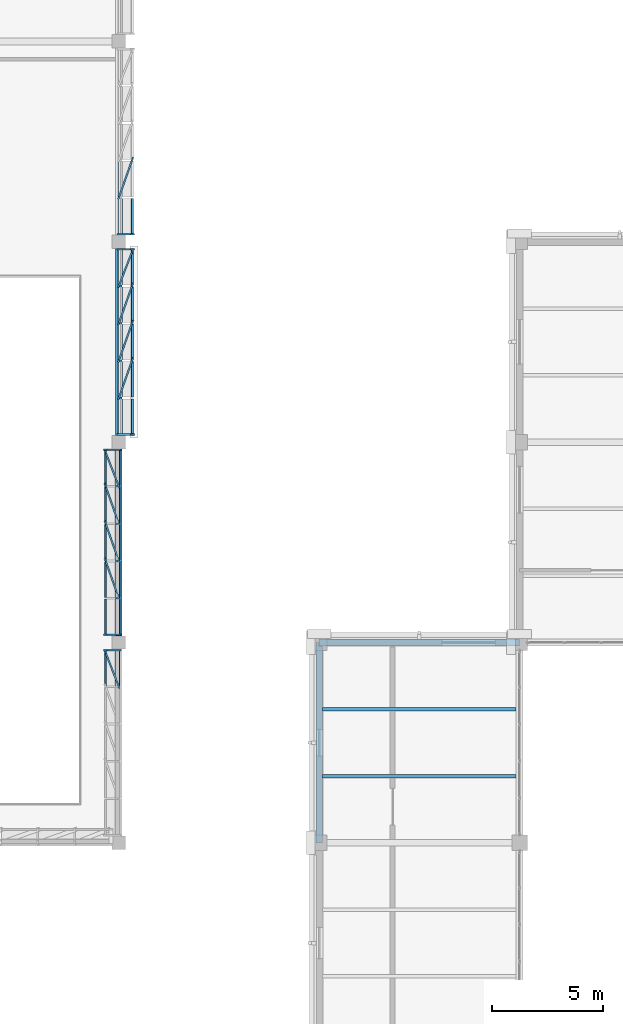
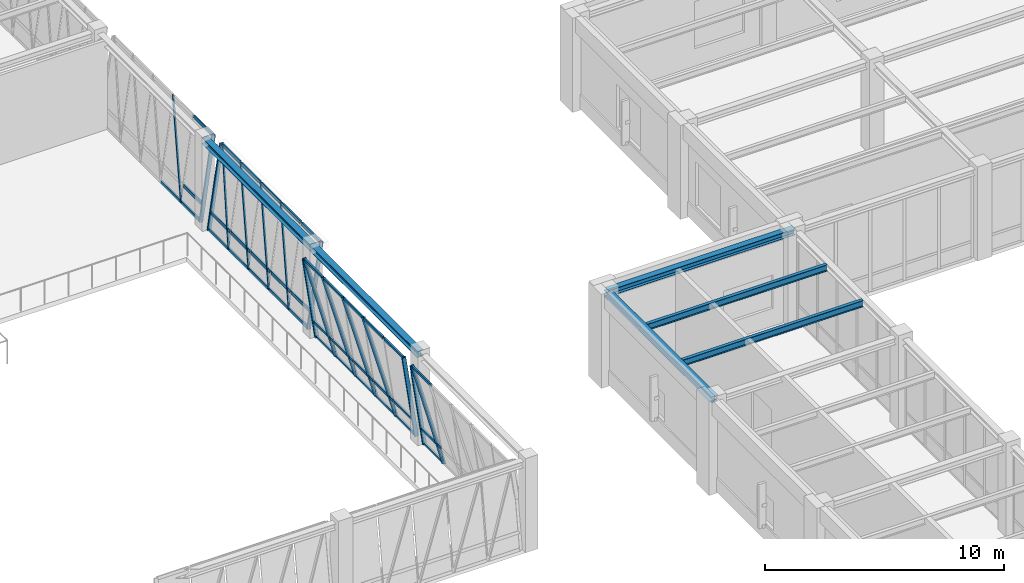
# One storey, part 41 of 98: 53 members, 6 beams, 4 elements without a shape of their own.
"""IFC4 building model written with IfcOpenShell, lengths in metres."""

import ifcopenshell
import ifcopenshell.guid

model = None  # the IFC model being written
_history = None  # IfcOwnerHistory: only IFC2X3 demands one
_inside = {}  # id of a spatial element -> (the spatial element, [elements in it])
_under = {}  # id of a project, library or spatial element -> (it, [spatial elements below it])
_declared = {}  # id of a project -> (the project, [libraries it declares])
_typed = {}  # id of a type object -> (the type object, [elements of that type])
_made_of = {}  # id of a material, layer set ... -> (it, [elements and type objects made of it])


def new_model(schema):
    """Start an empty IFC model of exactly this schema.

    Asked for "IFC4X3", IfcOpenShell would pick the latest addendum, in which some entities
    have other attributes; the version numbers below select the first issue.
    IFC2X3 requires an IfcOwnerHistory on every rooted entity: one is made here for all.
    """
    global model, _history
    if schema == "IFC4X3":
        model = ifcopenshell.file(schema_version=(4, 3, 0, 0))
    else:
        model = ifcopenshell.file(schema=schema)
    _inside.clear()
    _under.clear()
    _declared.clear()
    _typed.clear()
    _made_of.clear()
    _history = None
    if model.schema == "IFC2X3":
        org = make("IfcOrganization", Name="unknown")
        user = make(
            "IfcPersonAndOrganization",
            ThePerson=make("IfcPerson", FamilyName="unknown"),
            TheOrganization=org,
        )
        app = make(
            "IfcApplication",
            ApplicationDeveloper=org,
            Version="unknown",
            ApplicationFullName="unknown",
            ApplicationIdentifier="unknown",
        )
        _history = make(
            "IfcOwnerHistory",
            OwningUser=user,
            OwningApplication=app,
            ChangeAction="ADDED",
            CreationDate=0,
        )
    return model


def make(cls, **values):
    """One entity of the class cls with the attributes given. An attribute that is None is left unset."""
    return model.create_entity(
        cls, **{name: value for name, value in values.items() if value is not None}
    )


def rooted(cls, **values):
    """An entity with a GlobalId (a new one), such as an element, a storey or a relation."""
    return make(cls, GlobalId=ifcopenshell.guid.new(), OwnerHistory=_history, **values)


def si_unit(unit_type, name, prefix=None):
    """IfcSIUnit, for example si_unit("LENGTHUNIT", "METRE", prefix="MILLI")."""
    return make("IfcSIUnit", UnitType=unit_type, Prefix=prefix, Name=name)


def assignment(units):
    """IfcUnitAssignment: the units of a project."""
    return None if units is None else make("IfcUnitAssignment", Units=units)


def point(xyz):
    """IfcCartesianPoint."""
    return None if xyz is None else make("IfcCartesianPoint", Coordinates=xyz)


def direction(xyz):
    """IfcDirection."""
    return None if xyz is None else make("IfcDirection", DirectionRatios=xyz)


def frame(location, z_axis=None, x_axis=None):
    """IfcAxis2Placement3D, a coordinate frame: its origin and axes. An axis left out is left unset."""
    return make(
        "IfcAxis2Placement3D",
        Location=point(location),
        Axis=direction(z_axis),
        RefDirection=direction(x_axis),
    )


def frame_2d(location, x_axis=None):
    """IfcAxis2Placement2D, a coordinate frame in the plane: its origin and x axis."""
    return make(
        "IfcAxis2Placement2D", Location=point(location), RefDirection=direction(x_axis)
    )


def origin():
    """The frame at (0, 0, 0) with its axes left unset."""
    return frame((0.0, 0.0, 0.0))


def origin_2d():
    """The frame at (0, 0) in the plane with its x axis left unset."""
    return frame_2d((0.0, 0.0))


def place(relative_to, where):
    """IfcLocalPlacement: puts the frame where relative to a parent placement (None: the world)."""
    return make(
        "IfcLocalPlacement", PlacementRelTo=relative_to, RelativePlacement=where
    )


def context(
    kind, dimensions, precision=None, world=None, true_north=None, identifier=None
):
    """IfcGeometricRepresentationContext, for example the 3D "Model" context."""
    return make(
        "IfcGeometricRepresentationContext",
        ContextIdentifier=identifier,
        ContextType=kind,
        CoordinateSpaceDimension=dimensions,
        Precision=precision,
        WorldCoordinateSystem=world,
        TrueNorth=true_north,
    )


def subcontext(parent, identifier, kind, view, scale=None):
    """IfcGeometricRepresentationSubContext, for example "Body" below "Model"."""
    return make(
        "IfcGeometricRepresentationSubContext",
        ContextIdentifier=identifier,
        ContextType=kind,
        ParentContext=parent,
        TargetScale=scale,
        TargetView=view,
    )


def project(units=None, contexts=None):
    """IfcProject with its units and contexts."""
    return rooted(
        "IfcProject",
        Name="project",
        RepresentationContexts=contexts,
        UnitsInContext=assignment(units),
    )


def spatial(cls, under=None, at=None, **own):
    """A site, building, storey or space (cls), placed at a placement, below another one or the project."""
    s = rooted(cls, ObjectPlacement=at, **own)
    if under is not None:
        _under.setdefault(under.id(), (under, []))[1].append(s)
    return s


def profile(cls, at=None, kind="AREA", **sizes):
    """A parametric profile (cls). Its sizes go by their IFC names, for example OverallWidth=200.0."""
    return make(cls, ProfileType=kind, Position=at, **sizes)


def hollow_rectangle(**sizes):
    """IfcRectangleHollowProfileDef."""
    return profile("IfcRectangleHollowProfileDef", **sizes)


def i_section(**sizes):
    """IfcIShapeProfileDef."""
    return profile("IfcIShapeProfileDef", **sizes)


def extrude(swept, where, along, depth):
    """IfcExtrudedAreaSolid: the profile swept, set in the frame where, extruded along a direction by depth."""
    return make(
        "IfcExtrudedAreaSolid",
        SweptArea=swept,
        Position=where,
        ExtrudedDirection=direction(along),
        Depth=depth,
    )


def shape(context_of_items, identifier, shape_type, items):
    """IfcShapeRepresentation: the items that make up one representation, for example the "Body"."""
    return make(
        "IfcShapeRepresentation",
        ContextOfItems=context_of_items,
        RepresentationIdentifier=identifier,
        RepresentationType=shape_type,
        Items=items,
    )


def material(Name=None, Category=None):
    """IfcMaterial."""
    return make("IfcMaterial", Name=Name, Category=Category)


def material_profile(
    of_material, cross_section, Name=None, Category=None, Priority=None
):
    """IfcMaterialProfile: a cross section and its material."""
    return make(
        "IfcMaterialProfile",
        Name=Name,
        Material=of_material,
        Profile=cross_section,
        Priority=Priority,
        Category=Category,
    )


def profile_set(profiles, Name=None, composite=None):
    """IfcMaterialProfileSet."""
    return make(
        "IfcMaterialProfileSet",
        Name=Name,
        MaterialProfiles=profiles,
        CompositeProfile=composite,
    )


def made_of(thing, what):
    """Note that an element or type object is made of a material, layer set ...; save() writes the relation."""
    if what is not None:
        _made_of.setdefault(what.id(), (what, []))[1].append(thing)
    return thing


def type_object(cls, material=None, **own):
    """A type object (cls), such as IfcWallType, which elements share."""
    return made_of(rooted(cls, **own), material)


def element(
    cls,
    number,
    at=None,
    inside=None,
    cuts=None,
    type_object=None,
    material=None,
    context=None,
    identifier="Body",
    shape_type=None,
    held_by="IfcProductDefinitionShape",
    body=None,
    shapes=None,
    **own,
):
    """One element of the class cls, such as IfcWall. Its Tag is "e" and its number.

    at: its placement. inside: the storey or other place that contains it. cuts: it is an
    opening in that element (IfcRelVoidsElement). A single representation is given by context,
    identifier, shape_type and body (its items); several are given by shapes. held_by: the class
    of the entity that holds the representations. save() writes the other relations.
    """
    e = rooted(cls, Tag="e%d" % number, ObjectPlacement=at, **own)
    if body is not None:
        shapes = [shape(context, identifier, shape_type, body)]
    if shapes is not None:
        e.Representation = make(held_by, Representations=shapes)
    if inside is not None:
        _inside.setdefault(inside.id(), (inside, []))[1].append(e)
    if cuts is not None:
        rooted(
            "IfcRelVoidsElement", RelatingBuildingElement=cuts, RelatedOpeningElement=e
        )
    if type_object is not None:
        _typed.setdefault(type_object.id(), (type_object, []))[1].append(e)
    return made_of(e, material)


def aggregate(whole, parts):
    """IfcRelAggregates: a whole, such as a stair, and the parts it consists of."""
    return rooted("IfcRelAggregates", RelatingObject=whole, RelatedObjects=parts)


def save(model, path):
    """Write the relations noted so far, then the file.

    IfcRelAggregates (storeys below a building ...), IfcRelContainedInSpatialStructure (elements
    in a storey), IfcRelDefinesByType, IfcRelAssociatesMaterial and IfcRelDeclares: one each for
    every whole, place, type object, material and project.
    """
    for whole, parts in _under.values():
        aggregate(whole, parts)
    for where, things in _inside.values():
        rooted(
            "IfcRelContainedInSpatialStructure",
            RelatedElements=things,
            RelatingStructure=where,
        )
    for kind, things in _typed.values():
        rooted("IfcRelDefinesByType", RelatedObjects=things, RelatingType=kind)
    for what, things in _made_of.values():
        rooted("IfcRelAssociatesMaterial", RelatedObjects=things, RelatingMaterial=what)
    for by, libraries in _declared.values():
        rooted("IfcRelDeclares", RelatingContext=by, RelatedDefinitions=libraries)
    model.write(path)


model = new_model("IFC4")

# Units and contexts
model_context = context("Model", 3, precision=1e-05, world=origin(), true_north=direction((0.0, 1.0)))
body_context = subcontext(model_context, "Body", "Model", "MODEL_VIEW")
ifc_project = project(units=[si_unit("LENGTHUNIT", "METRE"), si_unit("AREAUNIT", "SQUARE_METRE"), si_unit("VOLUMEUNIT", "CUBIC_METRE"), si_unit("PLANEANGLEUNIT", "RADIAN"), si_unit("MASSUNIT", "GRAM", prefix="KILO")], contexts=[model_context])

# Site, building, storey
site_placement = place(None, origin())
site = spatial("IfcSite", under=ifc_project, at=site_placement, CompositionType="ELEMENT")
building_placement = place(site_placement, origin())
building = spatial("IfcBuilding", under=site, at=building_placement, Name="Lykobir Media Centre", CompositionType="ELEMENT")
storey_placement = place(building_placement, frame((0.0, 0.0, 10.199951171875)))
storey = spatial("IfcBuildingStorey", under=building, at=storey_placement, Name="L02", CompositionType="ELEMENT", Elevation=10.199951171875)

# Curtain wall, members
ifc_material_1 = material(Name="Anodized Aluminium AW-6060", Category="aluminium")
curtain_wall_type = type_object("IfcCurtainWallType", Name="CW-V6-CR2", PredefinedType="NOTDEFINED", material=ifc_material_1)
curtain_wall_1_placement = place(storey_placement, origin())
curtain_wall_1 = element("IfcCurtainWall", 1, at=curtain_wall_1_placement, inside=storey, type_object=curtain_wall_type, Name="Curtain wall CW2-L02-0087", PredefinedType="NOTDEFINED")
ifc_material_profile_1 = material_profile(ifc_material_1, hollow_rectangle(XDim=0.074951171875, YDim=0.179931640625, WallThickness=0.00390625, at=origin_2d()), Name="ALU MULLION 75x180")
ifc_profile_set_1 = profile_set([ifc_material_profile_1], Name="Anodized Aluminium AW-6060")
member_type_1 = type_object("IfcMemberType", Name="CWM-180", PredefinedType="MULLION", material=ifc_profile_set_1)
member_1_placement = place(storey_placement, frame((81.0, 71.657470703125, 0.0), z_axis=(-0.142643417261, 0.0, 0.989774143687), x_axis=(0.0, -1.0, 0.0)))
member_1 = element("IfcMember", 2, at=member_1_placement, type_object=member_type_1, Name="CW2-L02-0087 mullion 1", PredefinedType="MULLION", context=body_context, shape_type="SweptSolid", body=[
    extrude(hollow_rectangle(XDim=0.074951171875, YDim=0.179931640625, WallThickness=0.00390625, at=origin_2d()), origin(), (0.0, 0.0, 1.0), 4.27880859375),
])
member_2_placement = place(storey_placement, frame((81.0, 70.01708984375, 0.0), z_axis=(-0.133959771606, 0.343580022215, 0.929520063219), x_axis=(-0.931687998403, -0.36325951279, 0.0)))
member_2 = element("IfcMember", 3, at=member_2_placement, type_object=member_type_1, Name="CW2-L02-0087 mullion 2", PredefinedType="MULLION", context=body_context, shape_type="SweptSolid", body=[
    extrude(hollow_rectangle(XDim=0.074951171875, YDim=0.179931640625, WallThickness=0.00390625, at=origin_2d()), origin(), (0.0, 0.0, 1.0), 4.55615234375),
])

curtain_wall_2_placement = place(storey_placement, origin())
curtain_wall_2 = element("IfcCurtainWall", 4, at=curtain_wall_2_placement, inside=storey, type_object=curtain_wall_type, Name="Curtain wall CW2-L02-0088", PredefinedType="NOTDEFINED")
member_3_placement = place(storey_placement, frame((81.0, 80.657470703125, 0.0), z_axis=(-0.142643417261, 0.0, 0.989774143687), x_axis=(0.0, -1.0, 0.0)))
member_3 = element("IfcMember", 5, at=member_3_placement, type_object=member_type_1, Name="CW2-L02-0088 mullion 1", PredefinedType="MULLION", context=body_context, shape_type="SweptSolid", body=[
    extrude(hollow_rectangle(XDim=0.074951171875, YDim=0.179931640625, WallThickness=0.00390625, at=origin_2d()), origin(), (0.0, 0.0, 1.0), 4.27880859375),
])
member_4_placement = place(storey_placement, frame((81.0, 79.01708984375, 0.0), z_axis=(-0.133959771606, 0.343580022215, 0.929520063219), x_axis=(-0.931687998403, -0.36325951279, 0.0)))
member_4 = element("IfcMember", 6, at=member_4_placement, type_object=member_type_1, Name="CW2-L02-0088 mullion 2", PredefinedType="MULLION", context=body_context, shape_type="SweptSolid", body=[
    extrude(hollow_rectangle(XDim=0.074951171875, YDim=0.179931640625, WallThickness=0.00390625, at=origin_2d()), origin(), (0.0, 0.0, 1.0), 4.55615234375),
])
member_5_placement = place(storey_placement, frame((81.0, 77.339111328125, 0.0), z_axis=(-0.132259432652, 0.374558713271, 0.917721751288), x_axis=(-0.942941147741, -0.332959444824, 0.0)))
member_5 = element("IfcMember", 7, at=member_5_placement, type_object=member_type_1, Name="CW2-L02-0088 mullion 3", PredefinedType="MULLION", context=body_context, shape_type="SweptSolid", body=[
    extrude(hollow_rectangle(XDim=0.074951171875, YDim=0.179931640625, WallThickness=0.00390625, at=origin_2d()), origin(), (0.0, 0.0, 1.0), 4.61474609375),
])
member_6_placement = place(storey_placement, frame((81.0, 75.660888671875, 0.0), z_axis=(-0.132256811749, 0.374604193598, 0.917703565365), x_axis=(-0.942955909979, -0.332917635214, 0.0)))
member_6 = element("IfcMember", 8, at=member_6_placement, type_object=member_type_1, Name="CW2-L02-0088 mullion 4", PredefinedType="MULLION", context=body_context, shape_type="SweptSolid", body=[
    extrude(hollow_rectangle(XDim=0.074951171875, YDim=0.179931640625, WallThickness=0.00390625, at=origin_2d()), origin(), (0.0, 0.0, 1.0), 4.614990234375),
])
member_7_placement = place(storey_placement, frame((81.0, 73.98291015625, 0.0), z_axis=(-0.132256811749, 0.374604193598, 0.917703565365), x_axis=(-0.942955909979, -0.332917635214, 0.0)))
member_7 = element("IfcMember", 9, at=member_7_placement, type_object=member_type_1, Name="CW2-L02-0088 mullion 5", PredefinedType="MULLION", context=body_context, shape_type="SweptSolid", body=[
    extrude(hollow_rectangle(XDim=0.074951171875, YDim=0.179931640625, WallThickness=0.00390625, at=origin_2d()), origin(), (0.0, 0.0, 1.0), 4.614990234375),
])
member_8_placement = place(storey_placement, frame((81.0, 72.342529296875, 0.0), z_axis=(-0.142643417261, 0.0, 0.989774143687), x_axis=(0.0, -1.0, 0.0)))
member_8 = element("IfcMember", 10, at=member_8_placement, type_object=member_type_1, Name="CW2-L02-0088 mullion 6", PredefinedType="MULLION", context=body_context, shape_type="SweptSolid", body=[
    extrude(hollow_rectangle(XDim=0.074951171875, YDim=0.179931640625, WallThickness=0.00390625, at=origin_2d()), origin(), (0.0, 0.0, 1.0), 4.27880859375),
])

curtain_wall_3_placement = place(storey_placement, origin())
curtain_wall_3 = element("IfcCurtainWall", 11, at=curtain_wall_3_placement, inside=storey, type_object=curtain_wall_type, Name="Curtain wall CW2-L02-0089", PredefinedType="NOTDEFINED")
member_9_placement = place(storey_placement, frame((81.0, 81.342529296875, 0.0), z_axis=(0.142643417261, 0.0, 0.989774143687), x_axis=(0.0, -1.0, 0.0)))
member_9 = element("IfcMember", 12, at=member_9_placement, type_object=member_type_1, Name="CW2-L02-0089 mullion 1", PredefinedType="MULLION", context=body_context, shape_type="SweptSolid", body=[
    extrude(hollow_rectangle(XDim=0.074951171875, YDim=0.179931640625, WallThickness=0.00390625, at=origin_2d()), origin(), (0.0, 0.0, 1.0), 4.27880859375),
])
member_10_placement = place(storey_placement, frame((81.0, 82.98291015625, 0.0), z_axis=(0.132256811749, 0.374604193598, 0.917703565365), x_axis=(0.942955909979, -0.332917635214, 0.0)))
member_10 = element("IfcMember", 13, at=member_10_placement, type_object=member_type_1, Name="CW2-L02-0089 mullion 2", PredefinedType="MULLION", context=body_context, shape_type="SweptSolid", body=[
    extrude(hollow_rectangle(XDim=0.074951171875, YDim=0.179931640625, WallThickness=0.00390625, at=origin_2d()), origin(), (0.0, 0.0, 1.0), 4.614990234375),
])
member_11_placement = place(storey_placement, frame((81.0, 84.660888671875, 0.0), z_axis=(0.132256811749, 0.374604193598, 0.917703565365), x_axis=(0.942955909979, -0.332917635214, 0.0)))
member_11 = element("IfcMember", 14, at=member_11_placement, type_object=member_type_1, Name="CW2-L02-0089 mullion 3", PredefinedType="MULLION", context=body_context, shape_type="SweptSolid", body=[
    extrude(hollow_rectangle(XDim=0.074951171875, YDim=0.179931640625, WallThickness=0.00390625, at=origin_2d()), origin(), (0.0, 0.0, 1.0), 4.614990234375),
])
member_12_placement = place(storey_placement, frame((81.0, 86.339111328125, 0.0), z_axis=(0.132259432652, 0.374558713271, 0.917721751288), x_axis=(0.942941147741, -0.332959444824, 0.0)))
member_12 = element("IfcMember", 15, at=member_12_placement, type_object=member_type_1, Name="CW2-L02-0089 mullion 4", PredefinedType="MULLION", context=body_context, shape_type="SweptSolid", body=[
    extrude(hollow_rectangle(XDim=0.074951171875, YDim=0.179931640625, WallThickness=0.00390625, at=origin_2d()), origin(), (0.0, 0.0, 1.0), 4.61474609375),
])
member_13_placement = place(storey_placement, frame((81.0, 88.01708984375, 0.0), z_axis=(0.133959771606, 0.343580022215, 0.929520063219), x_axis=(0.931687998403, -0.36325951279, 0.0)))
member_13 = element("IfcMember", 16, at=member_13_placement, type_object=member_type_1, Name="CW2-L02-0089 mullion 5", PredefinedType="MULLION", context=body_context, shape_type="SweptSolid", body=[
    extrude(hollow_rectangle(XDim=0.074951171875, YDim=0.179931640625, WallThickness=0.00390625, at=origin_2d()), origin(), (0.0, 0.0, 1.0), 4.55615234375),
])
member_14_placement = place(storey_placement, frame((81.0, 89.657470703125, 0.0), z_axis=(0.142643417261, 0.0, 0.989774143687), x_axis=(0.0, -1.0, 0.0)))
member_14 = element("IfcMember", 17, at=member_14_placement, type_object=member_type_1, Name="CW2-L02-0089 mullion 6", PredefinedType="MULLION", context=body_context, shape_type="SweptSolid", body=[
    extrude(hollow_rectangle(XDim=0.074951171875, YDim=0.179931640625, WallThickness=0.00390625, at=origin_2d()), origin(), (0.0, 0.0, 1.0), 4.27880859375),
])

curtain_wall_4_placement = place(storey_placement, origin())
curtain_wall_4 = element("IfcCurtainWall", 18, at=curtain_wall_4_placement, inside=storey, type_object=curtain_wall_type, Name="Curtain wall CW2-L02-0090", PredefinedType="NOTDEFINED")
member_15_placement = place(storey_placement, frame((81.0, 90.342529296875, 0.0), z_axis=(0.142643417261, 0.0, 0.989774143687), x_axis=(0.0, -1.0, 0.0)))
member_15 = element("IfcMember", 19, at=member_15_placement, type_object=member_type_1, Name="CW2-L02-0090 mullion 1", PredefinedType="MULLION", context=body_context, shape_type="SweptSolid", body=[
    extrude(hollow_rectangle(XDim=0.074951171875, YDim=0.179931640625, WallThickness=0.00390625, at=origin_2d()), origin(), (0.0, 0.0, 1.0), 4.27880859375),
])
member_16_placement = place(storey_placement, frame((81.0, 91.98291015625, 0.0), z_axis=(0.132256811749, 0.374604193598, 0.917703565365), x_axis=(0.942955909979, -0.332917635214, 0.0)))
member_16 = element("IfcMember", 20, at=member_16_placement, type_object=member_type_1, Name="CW2-L02-0090 mullion 2", PredefinedType="MULLION", context=body_context, shape_type="SweptSolid", body=[
    extrude(hollow_rectangle(XDim=0.074951171875, YDim=0.179931640625, WallThickness=0.00390625, at=origin_2d()), origin(), (0.0, 0.0, 1.0), 4.614990234375),
])

# Member
ifc_material_profile_2 = material_profile(ifc_material_1, hollow_rectangle(XDim=0.074951171875, YDim=0.14990234375, WallThickness=0.00341796875, at=origin_2d()), Name="ALU TRANSOM 75x150")
ifc_profile_set_2 = profile_set([ifc_material_profile_2], Name="Anodized Aluminium AW-6060")
member_type_2 = type_object("IfcMemberType", Name="CWT-150", PredefinedType="USERDEFINED", material=ifc_profile_set_2)
member_17_placement = place(storey_placement, frame((80.99462890625, 71.6201171875, 0.037109375), z_axis=(0.0, -1.0, 0.0), x_axis=(0.989776230908, 0.0, 0.142628933706)))
member_17 = element("IfcMember", 21, at=member_17_placement, type_object=member_type_2, Name="CW2-L02-0087 transom 1.1", ObjectType="TRANSOM", PredefinedType="USERDEFINED", context=body_context, shape_type="SweptSolid", body=[
    extrude(hollow_rectangle(XDim=0.074951171875, YDim=0.14990234375, WallThickness=0.00341796875, at=origin_2d()), origin(), (0.0, 0.0, 1.0), 1.565673828125),
])

member_18_placement = place(storey_placement, frame((80.87890625, 71.6201171875, 0.84130859375), z_axis=(0.0, -1.0, 0.0), x_axis=(0.989776230908, 0.0, 0.142628933706)))
member_18 = element("IfcMember", 22, at=member_18_placement, type_object=member_type_2, Name="CW2-L02-0087 transom 1.2", ObjectType="TRANSOM", PredefinedType="USERDEFINED", context=body_context, shape_type="SweptSolid", body=[
    extrude(hollow_rectangle(XDim=0.074951171875, YDim=0.14990234375, WallThickness=0.00341796875, at=origin_2d()), origin(), (0.0, 0.0, 1.0), 1.565673828125),
])

member_19_placement = place(storey_placement, frame((80.39501953125, 71.6201171875, 4.19775390625), z_axis=(0.0, -1.0, 0.0), x_axis=(0.989776230908, 0.0, 0.142628933706)))
member_19 = element("IfcMember", 23, at=member_19_placement, type_object=member_type_2, Name="CW2-L02-0087 transom 1.3", ObjectType="TRANSOM", PredefinedType="USERDEFINED", context=body_context, shape_type="SweptSolid", body=[
    extrude(hollow_rectangle(XDim=0.074951171875, YDim=0.14990234375, WallThickness=0.00341796875, at=origin_2d()), origin(), (0.0, 0.0, 1.0), 1.565673828125),
])

aggregate(curtain_wall_1, [member_1, member_2, member_17, member_18, member_19])

member_20_placement = place(storey_placement, frame((80.99462890625, 80.6201171875, 0.037109375), z_axis=(0.0, -1.0, 0.0), x_axis=(0.989776230908, 0.0, 0.142628933706)))
member_20 = element("IfcMember", 24, at=member_20_placement, type_object=member_type_2, Name="CW2-L02-0088 transom 1.1", ObjectType="TRANSOM", PredefinedType="USERDEFINED", context=body_context, shape_type="SweptSolid", body=[
    extrude(hollow_rectangle(XDim=0.074951171875, YDim=0.14990234375, WallThickness=0.00341796875, at=origin_2d()), origin(), (0.0, 0.0, 1.0), 1.565673828125),
])

member_21_placement = place(storey_placement, frame((80.87890625, 80.6201171875, 0.84130859375), z_axis=(0.0, -1.0, 0.0), x_axis=(0.989776230908, 0.0, 0.142628933706)))
member_21 = element("IfcMember", 25, at=member_21_placement, type_object=member_type_2, Name="CW2-L02-0088 transom 1.2", ObjectType="TRANSOM", PredefinedType="USERDEFINED", context=body_context, shape_type="SweptSolid", body=[
    extrude(hollow_rectangle(XDim=0.074951171875, YDim=0.14990234375, WallThickness=0.00341796875, at=origin_2d()), origin(), (0.0, 0.0, 1.0), 1.565673828125),
])

member_22_placement = place(storey_placement, frame((80.39501953125, 80.6201171875, 4.19775390625), z_axis=(0.0, -1.0, 0.0), x_axis=(0.989776230908, 0.0, 0.142628933706)))
member_22 = element("IfcMember", 26, at=member_22_placement, type_object=member_type_2, Name="CW2-L02-0088 transom 1.3", ObjectType="TRANSOM", PredefinedType="USERDEFINED", context=body_context, shape_type="SweptSolid", body=[
    extrude(hollow_rectangle(XDim=0.074951171875, YDim=0.14990234375, WallThickness=0.00341796875, at=origin_2d()), origin(), (0.0, 0.0, 1.0), 1.565673828125),
])

member_23_placement = place(storey_placement, frame((80.99462890625, 78.9794921875, 0.037109375), z_axis=(0.0, -1.0, 0.0), x_axis=(0.989776230908, 0.0, 0.142628933706)))
member_23 = element("IfcMember", 27, at=member_23_placement, type_object=member_type_2, Name="CW2-L02-0088 transom 2.1", ObjectType="TRANSOM", PredefinedType="USERDEFINED", context=body_context, shape_type="SweptSolid", body=[
    extrude(hollow_rectangle(XDim=0.074951171875, YDim=0.14990234375, WallThickness=0.00341796875, at=origin_2d()), origin(), (0.0, 0.0, 1.0), 1.60302734375),
])

member_24_placement = place(storey_placement, frame((80.87890625, 78.9794921875, 0.84130859375), z_axis=(0.0, -1.0, 0.0), x_axis=(0.989776230908, 0.0, 0.142628933706)))
member_24 = element("IfcMember", 28, at=member_24_placement, type_object=member_type_2, Name="CW2-L02-0088 transom 2.2", ObjectType="TRANSOM", PredefinedType="USERDEFINED", context=body_context, shape_type="SweptSolid", body=[
    extrude(hollow_rectangle(XDim=0.074951171875, YDim=0.14990234375, WallThickness=0.00341796875, at=origin_2d()), origin(), (0.0, 0.0, 1.0), 1.60302734375),
])

member_25_placement = place(storey_placement, frame((80.39501953125, 78.9794921875, 4.19775390625), z_axis=(0.0, -1.0, 0.0), x_axis=(0.989776230908, 0.0, 0.142628933706)))
member_25 = element("IfcMember", 29, at=member_25_placement, type_object=member_type_2, Name="CW2-L02-0088 transom 2.3", ObjectType="TRANSOM", PredefinedType="USERDEFINED", context=body_context, shape_type="SweptSolid", body=[
    extrude(hollow_rectangle(XDim=0.074951171875, YDim=0.14990234375, WallThickness=0.00341796875, at=origin_2d()), origin(), (0.0, 0.0, 1.0), 1.60302734375),
])

member_26_placement = place(storey_placement, frame((80.99462890625, 77.301513671875, 0.037109375), z_axis=(0.0, -1.0, 0.0), x_axis=(0.989776230908, 0.0, 0.142628933706)))
member_26 = element("IfcMember", 30, at=member_26_placement, type_object=member_type_2, Name="CW2-L02-0088 transom 3.1", ObjectType="TRANSOM", PredefinedType="USERDEFINED", context=body_context, shape_type="SweptSolid", body=[
    extrude(hollow_rectangle(XDim=0.074951171875, YDim=0.14990234375, WallThickness=0.00341796875, at=origin_2d()), origin(), (0.0, 0.0, 1.0), 1.60302734375),
])

member_27_placement = place(storey_placement, frame((80.87890625, 77.301513671875, 0.84130859375), z_axis=(0.0, -1.0, 0.0), x_axis=(0.989776230908, 0.0, 0.142628933706)))
member_27 = element("IfcMember", 31, at=member_27_placement, type_object=member_type_2, Name="CW2-L02-0088 transom 3.2", ObjectType="TRANSOM", PredefinedType="USERDEFINED", context=body_context, shape_type="SweptSolid", body=[
    extrude(hollow_rectangle(XDim=0.074951171875, YDim=0.14990234375, WallThickness=0.00341796875, at=origin_2d()), origin(), (0.0, 0.0, 1.0), 1.60302734375),
])

member_28_placement = place(storey_placement, frame((80.39501953125, 77.301513671875, 4.19775390625), z_axis=(0.0, -1.0, 0.0), x_axis=(0.989776230908, 0.0, 0.142628933706)))
member_28 = element("IfcMember", 32, at=member_28_placement, type_object=member_type_2, Name="CW2-L02-0088 transom 3.3", ObjectType="TRANSOM", PredefinedType="USERDEFINED", context=body_context, shape_type="SweptSolid", body=[
    extrude(hollow_rectangle(XDim=0.074951171875, YDim=0.14990234375, WallThickness=0.00341796875, at=origin_2d()), origin(), (0.0, 0.0, 1.0), 1.60302734375),
])

member_29_placement = place(storey_placement, frame((80.99462890625, 75.62353515625, 0.037109375), z_axis=(0.0, -1.0, 0.0), x_axis=(0.989776230908, 0.0, 0.142628933706)))
member_29 = element("IfcMember", 33, at=member_29_placement, type_object=member_type_2, Name="CW2-L02-0088 transom 4.1", ObjectType="TRANSOM", PredefinedType="USERDEFINED", context=body_context, shape_type="SweptSolid", body=[
    extrude(hollow_rectangle(XDim=0.074951171875, YDim=0.14990234375, WallThickness=0.00341796875, at=origin_2d()), origin(), (0.0, 0.0, 1.0), 1.60302734375),
])

member_30_placement = place(storey_placement, frame((80.87890625, 75.62353515625, 0.84130859375), z_axis=(0.0, -1.0, 0.0), x_axis=(0.989776230908, 0.0, 0.142628933706)))
member_30 = element("IfcMember", 34, at=member_30_placement, type_object=member_type_2, Name="CW2-L02-0088 transom 4.2", ObjectType="TRANSOM", PredefinedType="USERDEFINED", context=body_context, shape_type="SweptSolid", body=[
    extrude(hollow_rectangle(XDim=0.074951171875, YDim=0.14990234375, WallThickness=0.00341796875, at=origin_2d()), origin(), (0.0, 0.0, 1.0), 1.60302734375),
])

member_31_placement = place(storey_placement, frame((80.39501953125, 75.62353515625, 4.19775390625), z_axis=(0.0, -1.0, 0.0), x_axis=(0.989776230908, 0.0, 0.142628933706)))
member_31 = element("IfcMember", 35, at=member_31_placement, type_object=member_type_2, Name="CW2-L02-0088 transom 4.3", ObjectType="TRANSOM", PredefinedType="USERDEFINED", context=body_context, shape_type="SweptSolid", body=[
    extrude(hollow_rectangle(XDim=0.074951171875, YDim=0.14990234375, WallThickness=0.00341796875, at=origin_2d()), origin(), (0.0, 0.0, 1.0), 1.60302734375),
])

member_32_placement = place(storey_placement, frame((80.99462890625, 73.945556640625, 0.037109375), z_axis=(0.0, -1.0, 0.0), x_axis=(0.989776230908, 0.0, 0.142628933706)))
member_32 = element("IfcMember", 36, at=member_32_placement, type_object=member_type_2, Name="CW2-L02-0088 transom 5.1", ObjectType="TRANSOM", PredefinedType="USERDEFINED", context=body_context, shape_type="SweptSolid", body=[
    extrude(hollow_rectangle(XDim=0.074951171875, YDim=0.14990234375, WallThickness=0.00341796875, at=origin_2d()), origin(), (0.0, 0.0, 1.0), 1.565673828125),
])

member_33_placement = place(storey_placement, frame((80.87890625, 73.945556640625, 0.84130859375), z_axis=(0.0, -1.0, 0.0), x_axis=(0.989776230908, 0.0, 0.142628933706)))
member_33 = element("IfcMember", 37, at=member_33_placement, type_object=member_type_2, Name="CW2-L02-0088 transom 5.2", ObjectType="TRANSOM", PredefinedType="USERDEFINED", context=body_context, shape_type="SweptSolid", body=[
    extrude(hollow_rectangle(XDim=0.074951171875, YDim=0.14990234375, WallThickness=0.00341796875, at=origin_2d()), origin(), (0.0, 0.0, 1.0), 1.565673828125),
])

member_34_placement = place(storey_placement, frame((80.39501953125, 73.945556640625, 4.19775390625), z_axis=(0.0, -1.0, 0.0), x_axis=(0.989776230908, 0.0, 0.142628933706)))
member_34 = element("IfcMember", 38, at=member_34_placement, type_object=member_type_2, Name="CW2-L02-0088 transom 5.3", ObjectType="TRANSOM", PredefinedType="USERDEFINED", context=body_context, shape_type="SweptSolid", body=[
    extrude(hollow_rectangle(XDim=0.074951171875, YDim=0.14990234375, WallThickness=0.00341796875, at=origin_2d()), origin(), (0.0, 0.0, 1.0), 1.565673828125),
])

aggregate(curtain_wall_2, [member_3, member_4, member_5, member_6, member_7, member_8, member_20, member_21, member_22, member_23, member_24, member_25, member_26, member_27, member_28, member_29, member_30, member_31, member_32, member_33, member_34])

member_35_placement = place(storey_placement, frame((81.00537109375, 81.3798828125, 0.037109375), z_axis=(0.0, 1.0, 0.0), x_axis=(-0.989776230908, 0.0, 0.142628933706)))
member_35 = element("IfcMember", 39, at=member_35_placement, type_object=member_type_2, Name="CW2-L02-0089 transom 1.1", ObjectType="TRANSOM", PredefinedType="USERDEFINED", context=body_context, shape_type="SweptSolid", body=[
    extrude(hollow_rectangle(XDim=0.074951171875, YDim=0.14990234375, WallThickness=0.00341796875, at=origin_2d()), origin(), (0.0, 0.0, 1.0), 1.565673828125),
])

member_36_placement = place(storey_placement, frame((81.12109375, 81.3798828125, 0.84130859375), z_axis=(0.0, 1.0, 0.0), x_axis=(-0.989776230908, 0.0, 0.142628933706)))
member_36 = element("IfcMember", 40, at=member_36_placement, type_object=member_type_2, Name="CW2-L02-0089 transom 1.2", ObjectType="TRANSOM", PredefinedType="USERDEFINED", context=body_context, shape_type="SweptSolid", body=[
    extrude(hollow_rectangle(XDim=0.074951171875, YDim=0.14990234375, WallThickness=0.00341796875, at=origin_2d()), origin(), (0.0, 0.0, 1.0), 1.565673828125),
])

member_37_placement = place(storey_placement, frame((81.60498046875, 81.3798828125, 4.19775390625), z_axis=(0.0, 1.0, 0.0), x_axis=(-0.989776230908, 0.0, 0.142628933706)))
member_37 = element("IfcMember", 41, at=member_37_placement, type_object=member_type_2, Name="CW2-L02-0089 transom 1.3", ObjectType="TRANSOM", PredefinedType="USERDEFINED", context=body_context, shape_type="SweptSolid", body=[
    extrude(hollow_rectangle(XDim=0.074951171875, YDim=0.14990234375, WallThickness=0.00341796875, at=origin_2d()), origin(), (0.0, 0.0, 1.0), 1.565673828125),
])

member_38_placement = place(storey_placement, frame((81.00537109375, 83.0205078125, 0.037109375), z_axis=(0.0, 1.0, 0.0), x_axis=(-0.989776230908, 0.0, 0.142628933706)))
member_38 = element("IfcMember", 42, at=member_38_placement, type_object=member_type_2, Name="CW2-L02-0089 transom 2.1", ObjectType="TRANSOM", PredefinedType="USERDEFINED", context=body_context, shape_type="SweptSolid", body=[
    extrude(hollow_rectangle(XDim=0.074951171875, YDim=0.14990234375, WallThickness=0.00341796875, at=origin_2d()), origin(), (0.0, 0.0, 1.0), 1.60302734375),
])

member_39_placement = place(storey_placement, frame((81.12109375, 83.0205078125, 0.84130859375), z_axis=(0.0, 1.0, 0.0), x_axis=(-0.989776230908, 0.0, 0.142628933706)))
member_39 = element("IfcMember", 43, at=member_39_placement, type_object=member_type_2, Name="CW2-L02-0089 transom 2.2", ObjectType="TRANSOM", PredefinedType="USERDEFINED", context=body_context, shape_type="SweptSolid", body=[
    extrude(hollow_rectangle(XDim=0.074951171875, YDim=0.14990234375, WallThickness=0.00341796875, at=origin_2d()), origin(), (0.0, 0.0, 1.0), 1.60302734375),
])

member_40_placement = place(storey_placement, frame((81.60498046875, 83.0205078125, 4.19775390625), z_axis=(0.0, 1.0, 0.0), x_axis=(-0.989776230908, 0.0, 0.142628933706)))
member_40 = element("IfcMember", 44, at=member_40_placement, type_object=member_type_2, Name="CW2-L02-0089 transom 2.3", ObjectType="TRANSOM", PredefinedType="USERDEFINED", context=body_context, shape_type="SweptSolid", body=[
    extrude(hollow_rectangle(XDim=0.074951171875, YDim=0.14990234375, WallThickness=0.00341796875, at=origin_2d()), origin(), (0.0, 0.0, 1.0), 1.60302734375),
])

member_41_placement = place(storey_placement, frame((81.00537109375, 84.698486328125, 0.037109375), z_axis=(0.0, 1.0, 0.0), x_axis=(-0.989776230908, 0.0, 0.142628933706)))
member_41 = element("IfcMember", 45, at=member_41_placement, type_object=member_type_2, Name="CW2-L02-0089 transom 3.1", ObjectType="TRANSOM", PredefinedType="USERDEFINED", context=body_context, shape_type="SweptSolid", body=[
    extrude(hollow_rectangle(XDim=0.074951171875, YDim=0.14990234375, WallThickness=0.00341796875, at=origin_2d()), origin(), (0.0, 0.0, 1.0), 1.60302734375),
])

member_42_placement = place(storey_placement, frame((81.12109375, 84.698486328125, 0.84130859375), z_axis=(0.0, 1.0, 0.0), x_axis=(-0.989776230908, 0.0, 0.142628933706)))
member_42 = element("IfcMember", 46, at=member_42_placement, type_object=member_type_2, Name="CW2-L02-0089 transom 3.2", ObjectType="TRANSOM", PredefinedType="USERDEFINED", context=body_context, shape_type="SweptSolid", body=[
    extrude(hollow_rectangle(XDim=0.074951171875, YDim=0.14990234375, WallThickness=0.00341796875, at=origin_2d()), origin(), (0.0, 0.0, 1.0), 1.60302734375),
])

member_43_placement = place(storey_placement, frame((81.60498046875, 84.698486328125, 4.19775390625), z_axis=(0.0, 1.0, 0.0), x_axis=(-0.989776230908, 0.0, 0.142628933706)))
member_43 = element("IfcMember", 47, at=member_43_placement, type_object=member_type_2, Name="CW2-L02-0089 transom 3.3", ObjectType="TRANSOM", PredefinedType="USERDEFINED", context=body_context, shape_type="SweptSolid", body=[
    extrude(hollow_rectangle(XDim=0.074951171875, YDim=0.14990234375, WallThickness=0.00341796875, at=origin_2d()), origin(), (0.0, 0.0, 1.0), 1.60302734375),
])

member_44_placement = place(storey_placement, frame((81.00537109375, 86.37646484375, 0.037109375), z_axis=(0.0, 1.0, 0.0), x_axis=(-0.989776230908, 0.0, 0.142628933706)))
member_44 = element("IfcMember", 48, at=member_44_placement, type_object=member_type_2, Name="CW2-L02-0089 transom 4.1", ObjectType="TRANSOM", PredefinedType="USERDEFINED", context=body_context, shape_type="SweptSolid", body=[
    extrude(hollow_rectangle(XDim=0.074951171875, YDim=0.14990234375, WallThickness=0.00341796875, at=origin_2d()), origin(), (0.0, 0.0, 1.0), 1.60302734375),
])

member_45_placement = place(storey_placement, frame((81.12109375, 86.37646484375, 0.84130859375), z_axis=(0.0, 1.0, 0.0), x_axis=(-0.989776230908, 0.0, 0.142628933706)))
member_45 = element("IfcMember", 49, at=member_45_placement, type_object=member_type_2, Name="CW2-L02-0089 transom 4.2", ObjectType="TRANSOM", PredefinedType="USERDEFINED", context=body_context, shape_type="SweptSolid", body=[
    extrude(hollow_rectangle(XDim=0.074951171875, YDim=0.14990234375, WallThickness=0.00341796875, at=origin_2d()), origin(), (0.0, 0.0, 1.0), 1.60302734375),
])

member_46_placement = place(storey_placement, frame((81.60498046875, 86.37646484375, 4.19775390625), z_axis=(0.0, 1.0, 0.0), x_axis=(-0.989776230908, 0.0, 0.142628933706)))
member_46 = element("IfcMember", 50, at=member_46_placement, type_object=member_type_2, Name="CW2-L02-0089 transom 4.3", ObjectType="TRANSOM", PredefinedType="USERDEFINED", context=body_context, shape_type="SweptSolid", body=[
    extrude(hollow_rectangle(XDim=0.074951171875, YDim=0.14990234375, WallThickness=0.00341796875, at=origin_2d()), origin(), (0.0, 0.0, 1.0), 1.60302734375),
])

member_47_placement = place(storey_placement, frame((81.00537109375, 88.054443359375, 0.037109375), z_axis=(0.0, 1.0, 0.0), x_axis=(-0.989776230908, 0.0, 0.142628933706)))
member_47 = element("IfcMember", 51, at=member_47_placement, type_object=member_type_2, Name="CW2-L02-0089 transom 5.1", ObjectType="TRANSOM", PredefinedType="USERDEFINED", context=body_context, shape_type="SweptSolid", body=[
    extrude(hollow_rectangle(XDim=0.074951171875, YDim=0.14990234375, WallThickness=0.00341796875, at=origin_2d()), origin(), (0.0, 0.0, 1.0), 1.565673828125),
])

member_48_placement = place(storey_placement, frame((81.12109375, 88.054443359375, 0.84130859375), z_axis=(0.0, 1.0, 0.0), x_axis=(-0.989776230908, 0.0, 0.142628933706)))
member_48 = element("IfcMember", 52, at=member_48_placement, type_object=member_type_2, Name="CW2-L02-0089 transom 5.2", ObjectType="TRANSOM", PredefinedType="USERDEFINED", context=body_context, shape_type="SweptSolid", body=[
    extrude(hollow_rectangle(XDim=0.074951171875, YDim=0.14990234375, WallThickness=0.00341796875, at=origin_2d()), origin(), (0.0, 0.0, 1.0), 1.565673828125),
])

member_49_placement = place(storey_placement, frame((81.60498046875, 88.054443359375, 4.19775390625), z_axis=(0.0, 1.0, 0.0), x_axis=(-0.989776230908, 0.0, 0.142628933706)))
member_49 = element("IfcMember", 53, at=member_49_placement, type_object=member_type_2, Name="CW2-L02-0089 transom 5.3", ObjectType="TRANSOM", PredefinedType="USERDEFINED", context=body_context, shape_type="SweptSolid", body=[
    extrude(hollow_rectangle(XDim=0.074951171875, YDim=0.14990234375, WallThickness=0.00341796875, at=origin_2d()), origin(), (0.0, 0.0, 1.0), 1.565673828125),
])

aggregate(curtain_wall_3, [member_9, member_10, member_11, member_12, member_13, member_14, member_35, member_36, member_37, member_38, member_39, member_40, member_41, member_42, member_43, member_44, member_45, member_46, member_47, member_48, member_49])

member_50_placement = place(storey_placement, frame((81.00537109375, 90.3798828125, 0.037109375), z_axis=(0.0, 1.0, 0.0), x_axis=(-0.989776230908, 0.0, 0.142628933706)))
member_50 = element("IfcMember", 54, at=member_50_placement, type_object=member_type_2, Name="CW2-L02-0090 transom 1.1", ObjectType="TRANSOM", PredefinedType="USERDEFINED", context=body_context, shape_type="SweptSolid", body=[
    extrude(hollow_rectangle(XDim=0.074951171875, YDim=0.14990234375, WallThickness=0.00341796875, at=origin_2d()), origin(), (0.0, 0.0, 1.0), 1.565673828125),
])

member_51_placement = place(storey_placement, frame((81.12109375, 90.3798828125, 0.84130859375), z_axis=(0.0, 1.0, 0.0), x_axis=(-0.989776230908, 0.0, 0.142628933706)))
member_51 = element("IfcMember", 55, at=member_51_placement, type_object=member_type_2, Name="CW2-L02-0090 transom 1.2", ObjectType="TRANSOM", PredefinedType="USERDEFINED", context=body_context, shape_type="SweptSolid", body=[
    extrude(hollow_rectangle(XDim=0.074951171875, YDim=0.14990234375, WallThickness=0.00341796875, at=origin_2d()), origin(), (0.0, 0.0, 1.0), 1.565673828125),
])

member_52_placement = place(storey_placement, frame((81.60498046875, 90.3798828125, 4.19775390625), z_axis=(0.0, 1.0, 0.0), x_axis=(-0.989776230908, 0.0, 0.142628933706)))
member_52 = element("IfcMember", 56, at=member_52_placement, type_object=member_type_2, Name="CW2-L02-0090 transom 1.3", ObjectType="TRANSOM", PredefinedType="USERDEFINED", context=body_context, shape_type="SweptSolid", body=[
    extrude(hollow_rectangle(XDim=0.074951171875, YDim=0.14990234375, WallThickness=0.00341796875, at=origin_2d()), origin(), (0.0, 0.0, 1.0), 1.565673828125),
])

member_53_placement = place(storey_placement, frame((81.00537109375, 92.0205078125, 0.037109375), z_axis=(0.0, 1.0, 0.0), x_axis=(-0.989776230908, 0.0, 0.142628933706)))
member_53 = element("IfcMember", 57, at=member_53_placement, type_object=member_type_2, Name="CW2-L02-0090 transom 2.1", ObjectType="TRANSOM", PredefinedType="USERDEFINED", context=body_context, shape_type="SweptSolid", body=[
    extrude(hollow_rectangle(XDim=0.074951171875, YDim=0.14990234375, WallThickness=0.00341796875, at=origin_2d()), origin(), (0.0, 0.0, 1.0), 1.60302734375),
])

aggregate(curtain_wall_4, [member_15, member_16, member_50, member_51, member_52, member_53])

# Beams
ifc_material_2 = material(Name="Steel S355", Category="steel")
ifc_material_profile_3 = material_profile(ifc_material_2, i_section(OverallWidth=0.159912109375, OverallDepth=0.330078125, WebThickness=0.007568359375, FlangeThickness=0.011474609375, at=origin_2d()), Name="IPE 330")
ifc_profile_set_3 = profile_set([ifc_material_profile_3], Name="Steel S355")
beam_type_1 = type_object("IfcBeamType", Name="JS-IPE330", PredefinedType="JOIST", material=ifc_profile_set_3)
for number, where, z_axis, x_axis, name in (
    (58, (90.14990234375, 66.0, 4.39501953125), (1.0, 0.0, 0.0), (0.0, 1.0, 0.0), "Beam BM-L02-0902-0660-0988-0660-1460"),
    (59, (90.14990234375, 69.0, 4.39501953125), (1.0, 0.0, 0.0), (0.0, 1.0, 0.0), "Beam BM-L02-0902-0690-0988-0690-1460"),
):
    element("IfcBeam", number, at=place(storey_placement, frame(where, z_axis=z_axis, x_axis=x_axis)), inside=storey, type_object=beam_type_1, Name=name, PredefinedType="JOIST", context=body_context, shape_type="SweptSolid", body=[
        extrude(i_section(OverallWidth=0.159912109375, OverallDepth=0.330078125, WebThickness=0.007568359375, FlangeThickness=0.011474609375, at=origin_2d()), origin(), (0.0, 0.0, 1.0), 8.7001953125),
    ])
ifc_material_profile_4 = material_profile(ifc_material_2, i_section(OverallWidth=0.300048828125, OverallDepth=0.31005859375, WebThickness=0.009033203125, FlangeThickness=0.015380859375, at=origin_2d()), Name="HEA 320")
ifc_profile_set_4 = profile_set([ifc_material_profile_4], Name="Steel S355")
beam_type_2 = type_object("IfcBeamType", Name="SP-HEA320", PredefinedType="SPANDREL", material=ifc_profile_set_4)
beam_placement = place(storey_placement, frame((90.0, 72.0, 4.405029296875), z_axis=(1.0, 0.0, 0.0), x_axis=(0.0, 1.0, 0.0)))
element("IfcBeam", 60, at=beam_placement, inside=storey, type_object=beam_type_2, Name="Beam BM-L02-0900-0720-0990-0720-1460", PredefinedType="SPANDREL", context=body_context, shape_type="SweptSolid", body=[
    extrude(i_section(OverallWidth=0.300048828125, OverallDepth=0.31005859375, WebThickness=0.009033203125, FlangeThickness=0.015380859375, at=origin_2d()), origin(), (0.0, 0.0, 1.0), 9.0),
])
ifc_material_profile_5 = material_profile(ifc_material_2, i_section(OverallWidth=0.300048828125, OverallDepth=0.31005859375, WebThickness=0.009033203125, FlangeThickness=0.015380859375, at=origin_2d()), Name="HEA 320")
ifc_profile_set_5 = profile_set([ifc_material_profile_5], Name="Steel S355")
beam_type_3 = type_object("IfcBeamType", Name="SP-HEA320-E", PredefinedType="SPANDREL", material=ifc_profile_set_5)
for number, where, z_axis, x_axis, name in (
    (61, (81.0, 72.0, 4.405029296875), (0.0, 1.0, 0.0), (-1.0, 0.0, 0.0), "Beam BM-L02-0810-0720-0810-0810-1460"),
    (62, (81.0, 81.0, 4.405029296875), (0.0, 1.0, 0.0), (-1.0, 0.0, 0.0), "Beam BM-L02-0810-0810-0810-0900-1460"),
    (63, (90.0, 63.0, 4.405029296875), (0.0, 1.0, 0.0), (-1.0, 0.0, 0.0), "Beam BM-L02-0900-0630-0900-0720-1460"),
):
    element("IfcBeam", number, at=place(storey_placement, frame(where, z_axis=z_axis, x_axis=x_axis)), inside=storey, type_object=beam_type_3, Name=name, PredefinedType="SPANDREL", context=body_context, shape_type="SweptSolid", body=[
        extrude(i_section(OverallWidth=0.300048828125, OverallDepth=0.31005859375, WebThickness=0.009033203125, FlangeThickness=0.015380859375, at=origin_2d()), origin(), (0.0, 0.0, 1.0), 9.0),
    ])

save(model, "model.ifc")
